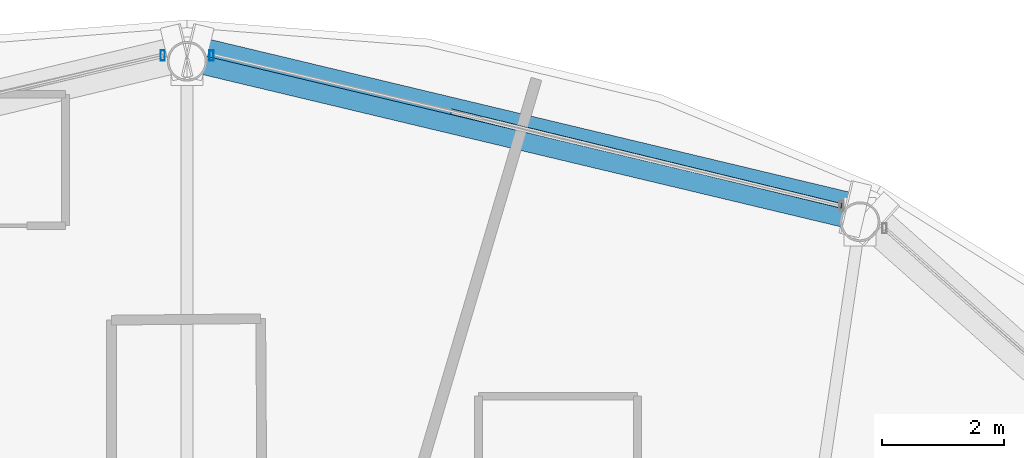
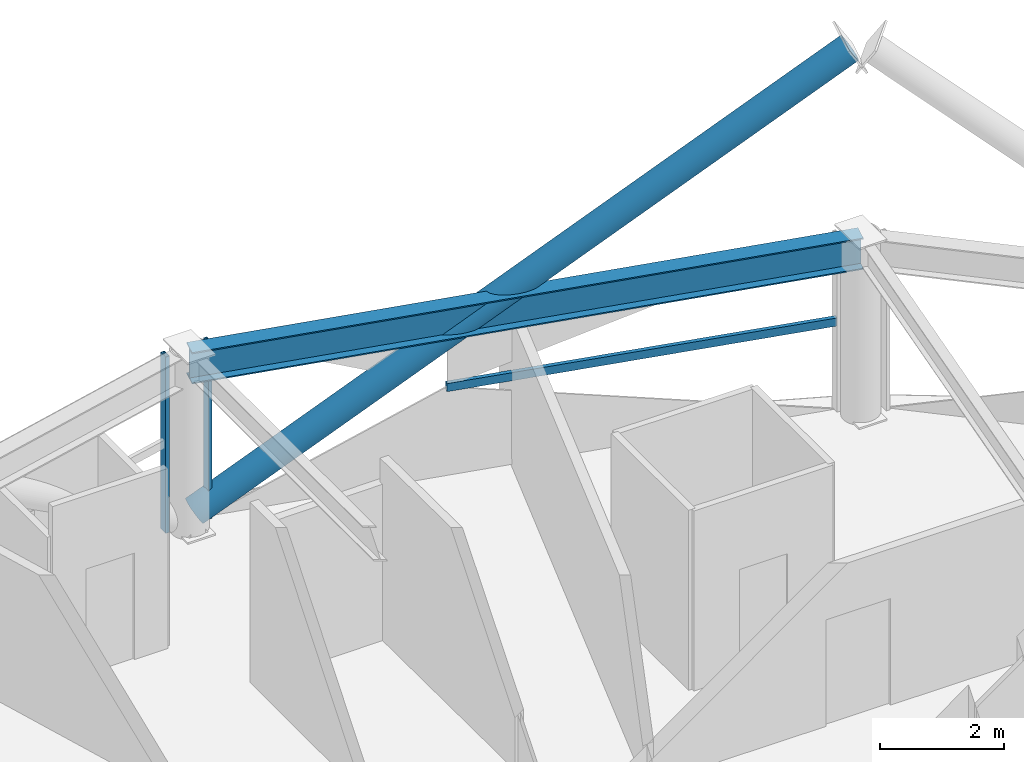
# One storey, part 18 of 29: 4 members, 1 beam, 2 elements without a shape of their own.
"""IFC4 building model written with IfcOpenShell, lengths in metres."""

import ifcopenshell
import ifcopenshell.guid

model = None  # the IFC model being written
_history = None  # IfcOwnerHistory: only IFC2X3 demands one
_inside = {}  # id of a spatial element -> (the spatial element, [elements in it])
_under = {}  # id of a project, library or spatial element -> (it, [spatial elements below it])
_declared = {}  # id of a project -> (the project, [libraries it declares])
_typed = {}  # id of a type object -> (the type object, [elements of that type])
_made_of = {}  # id of a material, layer set ... -> (it, [elements and type objects made of it])


def new_model(schema):
    """Start an empty IFC model of exactly this schema.

    Asked for "IFC4X3", IfcOpenShell would pick the latest addendum, in which some entities
    have other attributes; the version numbers below select the first issue.
    IFC2X3 requires an IfcOwnerHistory on every rooted entity: one is made here for all.
    """
    global model, _history
    if schema == "IFC4X3":
        model = ifcopenshell.file(schema_version=(4, 3, 0, 0))
    else:
        model = ifcopenshell.file(schema=schema)
    _inside.clear()
    _under.clear()
    _declared.clear()
    _typed.clear()
    _made_of.clear()
    _history = None
    if model.schema == "IFC2X3":
        org = make("IfcOrganization", Name="unknown")
        user = make(
            "IfcPersonAndOrganization",
            ThePerson=make("IfcPerson", FamilyName="unknown"),
            TheOrganization=org,
        )
        app = make(
            "IfcApplication",
            ApplicationDeveloper=org,
            Version="unknown",
            ApplicationFullName="unknown",
            ApplicationIdentifier="unknown",
        )
        _history = make(
            "IfcOwnerHistory",
            OwningUser=user,
            OwningApplication=app,
            ChangeAction="ADDED",
            CreationDate=0,
        )
    return model


def make(cls, **values):
    """One entity of the class cls with the attributes given. An attribute that is None is left unset."""
    return model.create_entity(
        cls, **{name: value for name, value in values.items() if value is not None}
    )


def rooted(cls, **values):
    """An entity with a GlobalId (a new one), such as an element, a storey or a relation."""
    return make(cls, GlobalId=ifcopenshell.guid.new(), OwnerHistory=_history, **values)


def si_unit(unit_type, name, prefix=None):
    """IfcSIUnit, for example si_unit("LENGTHUNIT", "METRE", prefix="MILLI")."""
    return make("IfcSIUnit", UnitType=unit_type, Prefix=prefix, Name=name)


def assignment(units):
    """IfcUnitAssignment: the units of a project."""
    return None if units is None else make("IfcUnitAssignment", Units=units)


def point(xyz):
    """IfcCartesianPoint."""
    return None if xyz is None else make("IfcCartesianPoint", Coordinates=xyz)


def direction(xyz):
    """IfcDirection."""
    return None if xyz is None else make("IfcDirection", DirectionRatios=xyz)


def frame(location, z_axis=None, x_axis=None):
    """IfcAxis2Placement3D, a coordinate frame: its origin and axes. An axis left out is left unset."""
    return make(
        "IfcAxis2Placement3D",
        Location=point(location),
        Axis=direction(z_axis),
        RefDirection=direction(x_axis),
    )


def frame_2d(location, x_axis=None):
    """IfcAxis2Placement2D, a coordinate frame in the plane: its origin and x axis."""
    return make(
        "IfcAxis2Placement2D", Location=point(location), RefDirection=direction(x_axis)
    )


def origin():
    """The frame at (0, 0, 0) with its axes left unset."""
    return frame((0.0, 0.0, 0.0))


def origin_2d():
    """The frame at (0, 0) in the plane with its x axis left unset."""
    return frame_2d((0.0, 0.0))


def place(relative_to, where):
    """IfcLocalPlacement: puts the frame where relative to a parent placement (None: the world)."""
    return make(
        "IfcLocalPlacement", PlacementRelTo=relative_to, RelativePlacement=where
    )


def context(
    kind, dimensions, precision=None, world=None, true_north=None, identifier=None
):
    """IfcGeometricRepresentationContext, for example the 3D "Model" context."""
    return make(
        "IfcGeometricRepresentationContext",
        ContextIdentifier=identifier,
        ContextType=kind,
        CoordinateSpaceDimension=dimensions,
        Precision=precision,
        WorldCoordinateSystem=world,
        TrueNorth=true_north,
    )


def subcontext(parent, identifier, kind, view, scale=None):
    """IfcGeometricRepresentationSubContext, for example "Body" below "Model"."""
    return make(
        "IfcGeometricRepresentationSubContext",
        ContextIdentifier=identifier,
        ContextType=kind,
        ParentContext=parent,
        TargetScale=scale,
        TargetView=view,
    )


def project(units=None, contexts=None):
    """IfcProject with its units and contexts."""
    return rooted(
        "IfcProject",
        Name="project",
        RepresentationContexts=contexts,
        UnitsInContext=assignment(units),
    )


def spatial(cls, under=None, at=None, **own):
    """A site, building, storey or space (cls), placed at a placement, below another one or the project."""
    s = rooted(cls, ObjectPlacement=at, **own)
    if under is not None:
        _under.setdefault(under.id(), (under, []))[1].append(s)
    return s


def profile(cls, at=None, kind="AREA", **sizes):
    """A parametric profile (cls). Its sizes go by their IFC names, for example OverallWidth=200.0."""
    return make(cls, ProfileType=kind, Position=at, **sizes)


def hollow_rectangle(**sizes):
    """IfcRectangleHollowProfileDef."""
    return profile("IfcRectangleHollowProfileDef", **sizes)


def hollow_circle(**sizes):
    """IfcCircleHollowProfileDef."""
    return profile("IfcCircleHollowProfileDef", **sizes)


def i_section(**sizes):
    """IfcIShapeProfileDef."""
    return profile("IfcIShapeProfileDef", **sizes)


def extrude(swept, where, along, depth):
    """IfcExtrudedAreaSolid: the profile swept, set in the frame where, extruded along a direction by depth."""
    return make(
        "IfcExtrudedAreaSolid",
        SweptArea=swept,
        Position=where,
        ExtrudedDirection=direction(along),
        Depth=depth,
    )


def shape(context_of_items, identifier, shape_type, items):
    """IfcShapeRepresentation: the items that make up one representation, for example the "Body"."""
    return make(
        "IfcShapeRepresentation",
        ContextOfItems=context_of_items,
        RepresentationIdentifier=identifier,
        RepresentationType=shape_type,
        Items=items,
    )


def material(Name=None, Category=None):
    """IfcMaterial."""
    return make("IfcMaterial", Name=Name, Category=Category)


def layer(
    of_material, thickness, ventilated=None, Name=None, Category=None, Priority=None
):
    """IfcMaterialLayer: one layer of a wall or slab, of a material (None: an air gap)."""
    return make(
        "IfcMaterialLayer",
        Material=of_material,
        LayerThickness=thickness,
        IsVentilated=ventilated,
        Name=Name,
        Category=Category,
        Priority=Priority,
    )


def layer_set(layers, Name=None):
    """IfcMaterialLayerSet."""
    return make("IfcMaterialLayerSet", MaterialLayers=layers, LayerSetName=Name)


def material_profile(
    of_material, cross_section, Name=None, Category=None, Priority=None
):
    """IfcMaterialProfile: a cross section and its material."""
    return make(
        "IfcMaterialProfile",
        Name=Name,
        Material=of_material,
        Profile=cross_section,
        Priority=Priority,
        Category=Category,
    )


def profile_set(profiles, Name=None, composite=None):
    """IfcMaterialProfileSet."""
    return make(
        "IfcMaterialProfileSet",
        Name=Name,
        MaterialProfiles=profiles,
        CompositeProfile=composite,
    )


def made_of(thing, what):
    """Note that an element or type object is made of a material, layer set ...; save() writes the relation."""
    if what is not None:
        _made_of.setdefault(what.id(), (what, []))[1].append(thing)
    return thing


def type_object(cls, material=None, **own):
    """A type object (cls), such as IfcWallType, which elements share."""
    return made_of(rooted(cls, **own), material)


def element(
    cls,
    number,
    at=None,
    inside=None,
    cuts=None,
    type_object=None,
    material=None,
    context=None,
    identifier="Body",
    shape_type=None,
    held_by="IfcProductDefinitionShape",
    body=None,
    shapes=None,
    **own,
):
    """One element of the class cls, such as IfcWall. Its Tag is "e" and its number.

    at: its placement. inside: the storey or other place that contains it. cuts: it is an
    opening in that element (IfcRelVoidsElement). A single representation is given by context,
    identifier, shape_type and body (its items); several are given by shapes. held_by: the class
    of the entity that holds the representations. save() writes the other relations.
    """
    e = rooted(cls, Tag="e%d" % number, ObjectPlacement=at, **own)
    if body is not None:
        shapes = [shape(context, identifier, shape_type, body)]
    if shapes is not None:
        e.Representation = make(held_by, Representations=shapes)
    if inside is not None:
        _inside.setdefault(inside.id(), (inside, []))[1].append(e)
    if cuts is not None:
        rooted(
            "IfcRelVoidsElement", RelatingBuildingElement=cuts, RelatedOpeningElement=e
        )
    if type_object is not None:
        _typed.setdefault(type_object.id(), (type_object, []))[1].append(e)
    return made_of(e, material)


def aggregate(whole, parts):
    """IfcRelAggregates: a whole, such as a stair, and the parts it consists of."""
    return rooted("IfcRelAggregates", RelatingObject=whole, RelatedObjects=parts)


def save(model, path):
    """Write the relations noted so far, then the file.

    IfcRelAggregates (storeys below a building ...), IfcRelContainedInSpatialStructure (elements
    in a storey), IfcRelDefinesByType, IfcRelAssociatesMaterial and IfcRelDeclares: one each for
    every whole, place, type object, material and project.
    """
    for whole, parts in _under.values():
        aggregate(whole, parts)
    for where, things in _inside.values():
        rooted(
            "IfcRelContainedInSpatialStructure",
            RelatedElements=things,
            RelatingStructure=where,
        )
    for kind, things in _typed.values():
        rooted("IfcRelDefinesByType", RelatedObjects=things, RelatingType=kind)
    for what, things in _made_of.values():
        rooted("IfcRelAssociatesMaterial", RelatedObjects=things, RelatingMaterial=what)
    for by, libraries in _declared.values():
        rooted("IfcRelDeclares", RelatingContext=by, RelatedDefinitions=libraries)
    model.write(path)


model = new_model("IFC4")

# Units and contexts
model_context = context("Model", 3, precision=1e-05, world=origin(), true_north=direction((0.0, 1.0)))
body_context = subcontext(model_context, "Body", "Model", "MODEL_VIEW")
ifc_project = project(units=[si_unit("LENGTHUNIT", "METRE"), si_unit("AREAUNIT", "SQUARE_METRE"), si_unit("VOLUMEUNIT", "CUBIC_METRE"), si_unit("PLANEANGLEUNIT", "RADIAN"), si_unit("MASSUNIT", "GRAM", prefix="KILO")], contexts=[model_context])

# Site, building, storey
site_placement = place(None, origin())
site = spatial("IfcSite", under=ifc_project, at=site_placement, CompositionType="ELEMENT")
building_placement = place(site_placement, origin())
building = spatial("IfcBuilding", under=site, at=building_placement, Name="Vantalir Tower", CompositionType="ELEMENT")
storey_placement = place(building_placement, frame((0.0, 0.0, 219.89990234375)))
storey = spatial("IfcBuildingStorey", under=building, at=storey_placement, Name="L55", CompositionType="ELEMENT", Elevation=219.89990234375)

# Beam
ifc_material_1 = material(Name="Steel S460", Category="steel")
ifc_material_profile_1 = material_profile(ifc_material_1, i_section(OverallWidth=0.306884765625, OverallDepth=0.6201171875, WebThickness=0.01416015625, FlangeThickness=0.023681640625, at=origin_2d()), Name="Steel S460")
ifc_profile_set_1 = profile_set([ifc_material_profile_1], Name="Steel S460")
beam_type = type_object("IfcBeamType", Name="BM-RG-610x305", PredefinedType="USERDEFINED", material=ifc_profile_set_1)
beam_placement = place(storey_placement, frame((42.506103515625, 41.970947265625, 3.260009765625), z_axis=(-0.972716546071, 0.231996812479, 0.0), x_axis=(-0.231996812479, -0.972716546071, 0.0)))
element("IfcBeam", 1, at=beam_placement, inside=storey, type_object=beam_type, Name="L55 Circumferential Ring Girder 03", ObjectType="GIRDER", PredefinedType="USERDEFINED", context=body_context, shape_type="SweptSolid", body=[
    extrude(i_section(OverallWidth=0.306884765625, OverallDepth=0.6201171875, WebThickness=0.01416015625, FlangeThickness=0.023681640625, at=origin_2d()), origin(), (0.0, 0.0, 1.0), 11.314697265625),
])

# Curtain wall, member
ifc_material_2 = material(Name="Champagne-silver PVDF aluminium and double-silver Low-E glass", Category="aluminium")
ifc_layer = layer(ifc_material_2, 0.2099609375)
ifc_layer_set = layer_set([ifc_layer], Name="Champagne-silver PVDF aluminium and double-silver Low-E glass")
curtain_wall_type = type_object("IfcCurtainWallType", Name="CW-DIAMOND-Z3", PredefinedType="USERDEFINED", material=ifc_layer_set)
curtain_wall_1_placement = place(storey_placement, origin())
curtain_wall_1 = element("IfcCurtainWall", 2, at=curtain_wall_1_placement, inside=storey, type_object=curtain_wall_type, Name="L55 Quilted Pyramid-Diamond Curtain Wall S03", ObjectType="UNITISED CURTAIN WALL", PredefinedType="USERDEFINED")
ifc_material_3 = material(Name="Champagne-silver PVDF aluminium 6063-T6", Category="aluminium")
ifc_material_profile_2 = material_profile(ifc_material_3, hollow_rectangle(XDim=0.070068359375, YDim=0.1650390625, WallThickness=0.00390625, at=origin_2d()), Name="Champagne-silver PVDF aluminium 6063-T6")
ifc_profile_set_2 = profile_set([ifc_material_profile_2], Name="Champagne-silver PVDF aluminium 6063-T6")
member_type_1 = type_object("IfcMemberType", Name="CWM-165x70", PredefinedType="MULLION", material=ifc_profile_set_2)
member_1_placement = place(storey_placement, frame((31.89892578125, 44.69091796875, 0.045166015625), z_axis=(0.0, 0.0, 1.0), x_axis=(1.0, 0.0, 0.0)))
member_1 = element("IfcMember", 3, at=member_1_placement, type_object=member_type_1, Name="CW-L55-S03 Mullion 2", PredefinedType="MULLION", context=body_context, shape_type="SweptSolid", body=[
    extrude(hollow_rectangle(XDim=0.070068359375, YDim=0.1650390625, WallThickness=0.00390625, at=origin_2d()), origin(), (0.0, 0.0, 1.0), 3.47998046875),
])

curtain_wall_2_placement = place(storey_placement, origin())
curtain_wall_2 = element("IfcCurtainWall", 4, at=curtain_wall_2_placement, inside=storey, type_object=curtain_wall_type, Name="L55 Quilted Pyramid-Diamond Curtain Wall S04", ObjectType="UNITISED CURTAIN WALL", PredefinedType="USERDEFINED")
member_2_placement = place(storey_placement, frame((31.10107421875, 44.69091796875, 0.045166015625), z_axis=(0.0, 0.0, 1.0), x_axis=(1.0, 0.0, 0.0)))
member_2 = element("IfcMember", 5, at=member_2_placement, type_object=member_type_1, Name="CW-L55-S04 Mullion 1", PredefinedType="MULLION", context=body_context, shape_type="SweptSolid", body=[
    extrude(hollow_rectangle(XDim=0.070068359375, YDim=0.1650390625, WallThickness=0.00390625, at=origin_2d()), origin(), (0.0, 0.0, 1.0), 3.47998046875),
])
aggregate(curtain_wall_2, [member_2])

# Member
ifc_material_profile_3 = material_profile(ifc_material_3, hollow_rectangle(XDim=0.074951171875, YDim=0.159912109375, WallThickness=0.00390625, at=origin_2d()), Name="Champagne-silver PVDF aluminium 6063-T6")
ifc_profile_set_3 = profile_set([ifc_material_profile_3], Name="Champagne-silver PVDF aluminium 6063-T6")
member_type_2 = type_object("IfcMemberType", Name="CWT-160x75", PredefinedType="USERDEFINED", material=ifc_profile_set_3)
member_3_placement = place(storey_placement, frame((42.202880859375, 42.22998046875, 1.78515625), z_axis=(-0.971789982032, 0.235847897643, 0.0), x_axis=(-0.235847897643, -0.971789982032, 0.0)))
member_3 = element("IfcMember", 6, at=member_3_placement, type_object=member_type_2, Name="CW-L55-S03 Pyramid Fold Ridge Transom", ObjectType="TRANSOM", PredefinedType="USERDEFINED", context=body_context, shape_type="SweptSolid", body=[
    extrude(hollow_rectangle(XDim=0.074951171875, YDim=0.159912109375, WallThickness=0.00390625, at=origin_2d()), origin(), (0.0, 0.0, 1.0), 6.568115234375),
])

aggregate(curtain_wall_1, [member_1, member_3])

ifc_material_profile_4 = material_profile(ifc_material_1, hollow_circle(Radius=0.25, WallThickness=0.031982421875, at=origin_2d()), Name="Steel S460")
ifc_profile_set_4 = profile_set([ifc_material_profile_4], Name="Steel S460")
member_type_3 = type_object("IfcMemberType", Name="MEM-DB-500x32", PredefinedType="BRACE", material=ifc_profile_set_4)
member_4_placement = place(storey_placement, frame((31.680908203125, 44.742919921875, 0.197021484375), z_axis=(0.823971380781, -0.196782144677, 0.531364235897), x_axis=(0.232289043132, 0.972646801486, 0.0)))
element("IfcMember", 7, at=member_4_placement, inside=storey, type_object=member_type_3, Name="L55 Perimeter S460 Diagrid Brace R10R", PredefinedType="BRACE", context=body_context, shape_type="SweptSolid", body=[
    extrude(hollow_circle(Radius=0.25, WallThickness=0.031982421875, at=origin_2d()), origin(), (0.0, 0.0, 1.0), 13.034423828125),
])

save(model, "model.ifc")
